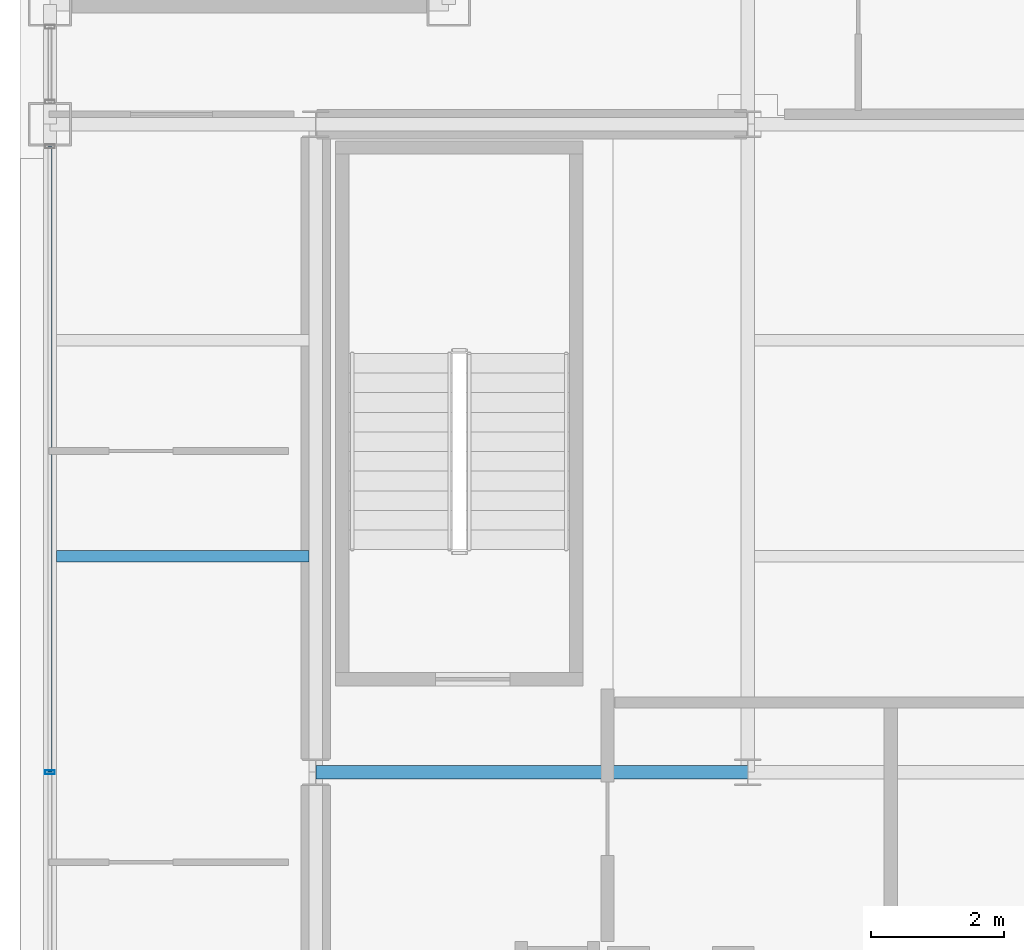
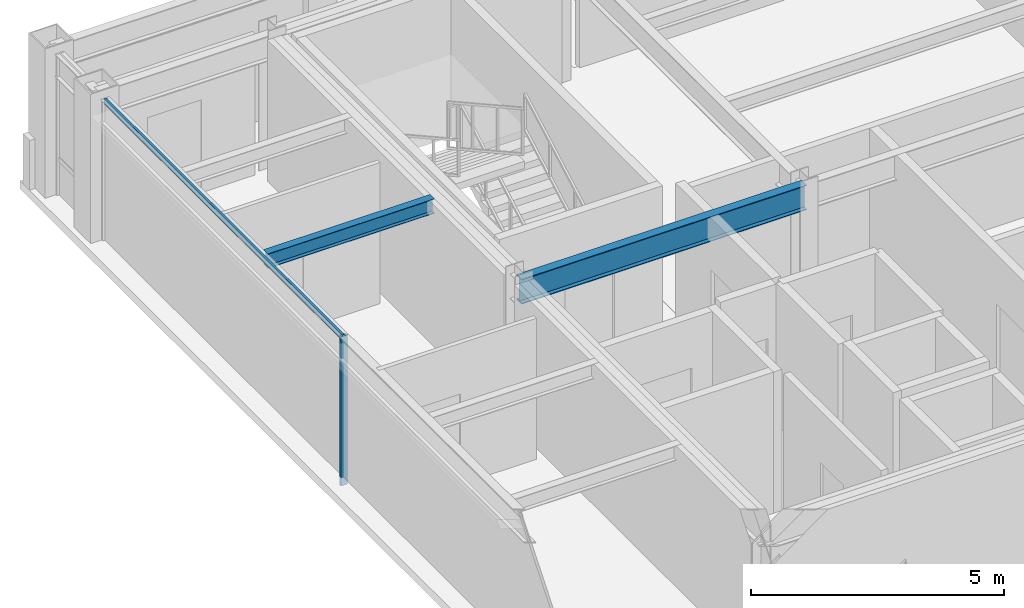
# One storey, part 7 of 24: 2 beams, 2 members, 1 element without a shape of its own.
"""IFC4 building model written with IfcOpenShell, lengths in metres."""

import ifcopenshell
import ifcopenshell.guid

model = None  # the IFC model being written
_history = None  # IfcOwnerHistory: only IFC2X3 demands one
_inside = {}  # id of a spatial element -> (the spatial element, [elements in it])
_under = {}  # id of a project, library or spatial element -> (it, [spatial elements below it])
_declared = {}  # id of a project -> (the project, [libraries it declares])
_typed = {}  # id of a type object -> (the type object, [elements of that type])
_made_of = {}  # id of a material, layer set ... -> (it, [elements and type objects made of it])


def new_model(schema):
    """Start an empty IFC model of exactly this schema.

    Asked for "IFC4X3", IfcOpenShell would pick the latest addendum, in which some entities
    have other attributes; the version numbers below select the first issue.
    IFC2X3 requires an IfcOwnerHistory on every rooted entity: one is made here for all.
    """
    global model, _history
    if schema == "IFC4X3":
        model = ifcopenshell.file(schema_version=(4, 3, 0, 0))
    else:
        model = ifcopenshell.file(schema=schema)
    _inside.clear()
    _under.clear()
    _declared.clear()
    _typed.clear()
    _made_of.clear()
    _history = None
    if model.schema == "IFC2X3":
        org = make("IfcOrganization", Name="unknown")
        user = make(
            "IfcPersonAndOrganization",
            ThePerson=make("IfcPerson", FamilyName="unknown"),
            TheOrganization=org,
        )
        app = make(
            "IfcApplication",
            ApplicationDeveloper=org,
            Version="unknown",
            ApplicationFullName="unknown",
            ApplicationIdentifier="unknown",
        )
        _history = make(
            "IfcOwnerHistory",
            OwningUser=user,
            OwningApplication=app,
            ChangeAction="ADDED",
            CreationDate=0,
        )
    return model


def make(cls, **values):
    """One entity of the class cls with the attributes given. An attribute that is None is left unset."""
    return model.create_entity(
        cls, **{name: value for name, value in values.items() if value is not None}
    )


def rooted(cls, **values):
    """An entity with a GlobalId (a new one), such as an element, a storey or a relation."""
    return make(cls, GlobalId=ifcopenshell.guid.new(), OwnerHistory=_history, **values)


def si_unit(unit_type, name, prefix=None):
    """IfcSIUnit, for example si_unit("LENGTHUNIT", "METRE", prefix="MILLI")."""
    return make("IfcSIUnit", UnitType=unit_type, Prefix=prefix, Name=name)


def assignment(units):
    """IfcUnitAssignment: the units of a project."""
    return None if units is None else make("IfcUnitAssignment", Units=units)


def point(xyz):
    """IfcCartesianPoint."""
    return None if xyz is None else make("IfcCartesianPoint", Coordinates=xyz)


def direction(xyz):
    """IfcDirection."""
    return None if xyz is None else make("IfcDirection", DirectionRatios=xyz)


def frame(location, z_axis=None, x_axis=None):
    """IfcAxis2Placement3D, a coordinate frame: its origin and axes. An axis left out is left unset."""
    return make(
        "IfcAxis2Placement3D",
        Location=point(location),
        Axis=direction(z_axis),
        RefDirection=direction(x_axis),
    )


def frame_2d(location, x_axis=None):
    """IfcAxis2Placement2D, a coordinate frame in the plane: its origin and x axis."""
    return make(
        "IfcAxis2Placement2D", Location=point(location), RefDirection=direction(x_axis)
    )


def origin():
    """The frame at (0, 0, 0) with its axes left unset."""
    return frame((0.0, 0.0, 0.0))


def origin_2d():
    """The frame at (0, 0) in the plane with its x axis left unset."""
    return frame_2d((0.0, 0.0))


def place(relative_to, where):
    """IfcLocalPlacement: puts the frame where relative to a parent placement (None: the world)."""
    return make(
        "IfcLocalPlacement", PlacementRelTo=relative_to, RelativePlacement=where
    )


def context(
    kind, dimensions, precision=None, world=None, true_north=None, identifier=None
):
    """IfcGeometricRepresentationContext, for example the 3D "Model" context."""
    return make(
        "IfcGeometricRepresentationContext",
        ContextIdentifier=identifier,
        ContextType=kind,
        CoordinateSpaceDimension=dimensions,
        Precision=precision,
        WorldCoordinateSystem=world,
        TrueNorth=true_north,
    )


def subcontext(parent, identifier, kind, view, scale=None):
    """IfcGeometricRepresentationSubContext, for example "Body" below "Model"."""
    return make(
        "IfcGeometricRepresentationSubContext",
        ContextIdentifier=identifier,
        ContextType=kind,
        ParentContext=parent,
        TargetScale=scale,
        TargetView=view,
    )


def project(units=None, contexts=None):
    """IfcProject with its units and contexts."""
    return rooted(
        "IfcProject",
        Name="project",
        RepresentationContexts=contexts,
        UnitsInContext=assignment(units),
    )


def spatial(cls, under=None, at=None, **own):
    """A site, building, storey or space (cls), placed at a placement, below another one or the project."""
    s = rooted(cls, ObjectPlacement=at, **own)
    if under is not None:
        _under.setdefault(under.id(), (under, []))[1].append(s)
    return s


def profile(cls, at=None, kind="AREA", **sizes):
    """A parametric profile (cls). Its sizes go by their IFC names, for example OverallWidth=200.0."""
    return make(cls, ProfileType=kind, Position=at, **sizes)


def hollow_rectangle(**sizes):
    """IfcRectangleHollowProfileDef."""
    return profile("IfcRectangleHollowProfileDef", **sizes)


def i_section(**sizes):
    """IfcIShapeProfileDef."""
    return profile("IfcIShapeProfileDef", **sizes)


def extrude(swept, where, along, depth):
    """IfcExtrudedAreaSolid: the profile swept, set in the frame where, extruded along a direction by depth."""
    return make(
        "IfcExtrudedAreaSolid",
        SweptArea=swept,
        Position=where,
        ExtrudedDirection=direction(along),
        Depth=depth,
    )


def shape(context_of_items, identifier, shape_type, items):
    """IfcShapeRepresentation: the items that make up one representation, for example the "Body"."""
    return make(
        "IfcShapeRepresentation",
        ContextOfItems=context_of_items,
        RepresentationIdentifier=identifier,
        RepresentationType=shape_type,
        Items=items,
    )


def material(Name=None, Category=None):
    """IfcMaterial."""
    return make("IfcMaterial", Name=Name, Category=Category)


def layer(
    of_material, thickness, ventilated=None, Name=None, Category=None, Priority=None
):
    """IfcMaterialLayer: one layer of a wall or slab, of a material (None: an air gap)."""
    return make(
        "IfcMaterialLayer",
        Material=of_material,
        LayerThickness=thickness,
        IsVentilated=ventilated,
        Name=Name,
        Category=Category,
        Priority=Priority,
    )


def layer_set(layers, Name=None):
    """IfcMaterialLayerSet."""
    return make("IfcMaterialLayerSet", MaterialLayers=layers, LayerSetName=Name)


def material_profile(
    of_material, cross_section, Name=None, Category=None, Priority=None
):
    """IfcMaterialProfile: a cross section and its material."""
    return make(
        "IfcMaterialProfile",
        Name=Name,
        Material=of_material,
        Profile=cross_section,
        Priority=Priority,
        Category=Category,
    )


def profile_set(profiles, Name=None, composite=None):
    """IfcMaterialProfileSet."""
    return make(
        "IfcMaterialProfileSet",
        Name=Name,
        MaterialProfiles=profiles,
        CompositeProfile=composite,
    )


def made_of(thing, what):
    """Note that an element or type object is made of a material, layer set ...; save() writes the relation."""
    if what is not None:
        _made_of.setdefault(what.id(), (what, []))[1].append(thing)
    return thing


def type_object(cls, material=None, **own):
    """A type object (cls), such as IfcWallType, which elements share."""
    return made_of(rooted(cls, **own), material)


def element(
    cls,
    number,
    at=None,
    inside=None,
    cuts=None,
    type_object=None,
    material=None,
    context=None,
    identifier="Body",
    shape_type=None,
    held_by="IfcProductDefinitionShape",
    body=None,
    shapes=None,
    **own,
):
    """One element of the class cls, such as IfcWall. Its Tag is "e" and its number.

    at: its placement. inside: the storey or other place that contains it. cuts: it is an
    opening in that element (IfcRelVoidsElement). A single representation is given by context,
    identifier, shape_type and body (its items); several are given by shapes. held_by: the class
    of the entity that holds the representations. save() writes the other relations.
    """
    e = rooted(cls, Tag="e%d" % number, ObjectPlacement=at, **own)
    if body is not None:
        shapes = [shape(context, identifier, shape_type, body)]
    if shapes is not None:
        e.Representation = make(held_by, Representations=shapes)
    if inside is not None:
        _inside.setdefault(inside.id(), (inside, []))[1].append(e)
    if cuts is not None:
        rooted(
            "IfcRelVoidsElement", RelatingBuildingElement=cuts, RelatedOpeningElement=e
        )
    if type_object is not None:
        _typed.setdefault(type_object.id(), (type_object, []))[1].append(e)
    return made_of(e, material)


def aggregate(whole, parts):
    """IfcRelAggregates: a whole, such as a stair, and the parts it consists of."""
    return rooted("IfcRelAggregates", RelatingObject=whole, RelatedObjects=parts)


def save(model, path):
    """Write the relations noted so far, then the file.

    IfcRelAggregates (storeys below a building ...), IfcRelContainedInSpatialStructure (elements
    in a storey), IfcRelDefinesByType, IfcRelAssociatesMaterial and IfcRelDeclares: one each for
    every whole, place, type object, material and project.
    """
    for whole, parts in _under.values():
        aggregate(whole, parts)
    for where, things in _inside.values():
        rooted(
            "IfcRelContainedInSpatialStructure",
            RelatedElements=things,
            RelatingStructure=where,
        )
    for kind, things in _typed.values():
        rooted("IfcRelDefinesByType", RelatedObjects=things, RelatingType=kind)
    for what, things in _made_of.values():
        rooted("IfcRelAssociatesMaterial", RelatedObjects=things, RelatingMaterial=what)
    for by, libraries in _declared.values():
        rooted("IfcRelDeclares", RelatingContext=by, RelatedDefinitions=libraries)
    model.write(path)


model = new_model("IFC4")

# Units and contexts
model_context = context("Model", 3, precision=1e-05, world=origin(), true_north=direction((0.0, 1.0)))
body_context = subcontext(model_context, "Body", "Model", "MODEL_VIEW")
ifc_project = project(units=[si_unit("LENGTHUNIT", "METRE"), si_unit("AREAUNIT", "SQUARE_METRE"), si_unit("VOLUMEUNIT", "CUBIC_METRE"), si_unit("PLANEANGLEUNIT", "RADIAN"), si_unit("MASSUNIT", "GRAM", prefix="KILO")], contexts=[model_context])

# Site, building, storey
site_placement = place(None, origin())
site = spatial("IfcSite", under=ifc_project, at=site_placement, CompositionType="ELEMENT")
building_placement = place(site_placement, origin())
building = spatial("IfcBuilding", under=site, at=building_placement, Name="Brelmoor Portico Tower", CompositionType="ELEMENT")
storey_placement = place(building_placement, frame((0.0, 0.0, 240.0)))
storey = spatial("IfcBuildingStorey", under=building, at=storey_placement, Name="L63", CompositionType="ELEMENT", Elevation=240.0)

# Beams
ifc_material_1 = material(Name="Steel Q355B", Category="steel")
ifc_material_profile_1 = material_profile(ifc_material_1, i_section(OverallWidth=0.175048828125, OverallDepth=0.35009765625, WebThickness=0.007080078125, FlangeThickness=0.010986328125, at=origin_2d()), Name="HN 350x175x7x11")
ifc_profile_set_1 = profile_set([ifc_material_profile_1], Name="Steel Q355B")
beam_type_1 = type_object("IfcBeamType", Name="BM-JS-350", PredefinedType="JOIST", material=ifc_profile_set_1)
beam_1_placement = place(storey_placement, frame((-18.449951171875, 3.25, 3.22509765625), z_axis=(1.0, 0.0, 0.0), x_axis=(0.0, 1.0, 0.0)))
element("IfcBeam", 1, at=beam_1_placement, inside=storey, type_object=beam_type_1, Name="L63 Secondary Wing Joist JS-W09", PredefinedType="JOIST", context=body_context, shape_type="SweptSolid", body=[
    extrude(i_section(OverallWidth=0.175048828125, OverallDepth=0.35009765625, WebThickness=0.007080078125, FlangeThickness=0.010986328125, at=origin_2d()), origin(), (0.0, 0.0, 1.0), 3.800048828125),
])
ifc_material_profile_2 = material_profile(ifc_material_1, i_section(OverallWidth=0.199951171875, OverallDepth=0.60009765625, WebThickness=0.010986328125, FlangeThickness=0.01708984375, at=origin_2d()), Name="HN 600x200x11x17")
ifc_profile_set_2 = profile_set([ifc_material_profile_2], Name="Steel Q355B")
beam_type_2 = type_object("IfcBeamType", Name="BM-PG-600", PredefinedType="BEAM", material=ifc_profile_set_2)
beam_2_placement = place(storey_placement, frame((-14.550048828125, 0.0, 3.10009765625), z_axis=(1.0, 0.0, 0.0), x_axis=(0.0, 1.0, 0.0)))
element("IfcBeam", 2, at=beam_2_placement, inside=storey, type_object=beam_type_2, Name="L63 Primary Floor Girder PG-16", PredefinedType="BEAM", context=body_context, shape_type="SweptSolid", body=[
    extrude(i_section(OverallWidth=0.199951171875, OverallDepth=0.60009765625, WebThickness=0.010986328125, FlangeThickness=0.01708984375, at=origin_2d()), origin(), (0.0, 0.0, 1.0), 6.5),
])

# Curtain wall, members
ifc_material_2 = material(Name="Anodised Aluminium Alloy 6063-T6", Category="aluminium")
ifc_layer = layer(ifc_material_2, 0.179931640625)
ifc_layer_set = layer_set([ifc_layer], Name="Anodised Aluminium Alloy 6063-T6")
curtain_wall_type = type_object("IfcCurtainWallType", Name="CW-TOWER-Z4-XB", PredefinedType="NOTDEFINED", material=ifc_layer_set)
curtain_wall_placement = place(storey_placement, origin())
curtain_wall = element("IfcCurtainWall", 3, at=curtain_wall_placement, inside=storey, type_object=curtain_wall_type, Name="L63 Curtain Wall CW-L63-03-2", PredefinedType="NOTDEFINED")
ifc_material_profile_3 = material_profile(ifc_material_2, hollow_rectangle(XDim=0.06005859375, YDim=0.14990234375, WallThickness=0.00390625, at=origin_2d()), Name="ALU MULLION 60x150")
ifc_profile_set_3 = profile_set([ifc_material_profile_3], Name="Anodised Aluminium Alloy 6063-T6")
member_type_1 = type_object("IfcMemberType", Name="MB-CW-MULL-150", PredefinedType="MULLION", material=ifc_profile_set_3)
member_1_placement = place(storey_placement, frame((-18.550048828125, 0.0, -0.199951171875), z_axis=(0.0, 0.0, 1.0), x_axis=(0.0, 1.0, 0.0)))
member_1 = element("IfcMember", 4, at=member_1_placement, type_object=member_type_1, Name="CW-L63-03-2 Mullion 01", PredefinedType="MULLION", context=body_context, shape_type="SweptSolid", body=[
    extrude(hollow_rectangle(XDim=0.06005859375, YDim=0.14990234375, WallThickness=0.00390625, at=origin_2d()), origin(), (0.0, 0.0, 1.0), 3.599853515625),
])
ifc_material_profile_4 = material_profile(ifc_material_2, hollow_rectangle(XDim=0.06005859375, YDim=0.125, WallThickness=0.00341796875, at=origin_2d()), Name="ALU TRANSOM 60x125")
ifc_profile_set_4 = profile_set([ifc_material_profile_4], Name="Anodised Aluminium Alloy 6063-T6")
member_type_2 = type_object("IfcMemberType", Name="MB-CW-TRAN-125", PredefinedType="USERDEFINED", material=ifc_profile_set_4)
member_2_placement = place(storey_placement, frame((-18.550048828125, 0.0, 3.33740234375), z_axis=(0.0, 1.0, 0.0), x_axis=(-1.0, 0.0, 0.0)))
member_2 = element("IfcMember", 5, at=member_2_placement, type_object=member_type_2, Name="CW-L63-03-2 Transom 1-01", ObjectType="TRANSOM", PredefinedType="USERDEFINED", context=body_context, shape_type="SweptSolid", body=[
    extrude(hollow_rectangle(XDim=0.06005859375, YDim=0.125, WallThickness=0.00341796875, at=origin_2d()), origin(), (0.0, 0.0, 1.0), 9.4150390625),
])
aggregate(curtain_wall, [member_1, member_2])

save(model, "model.ifc")
